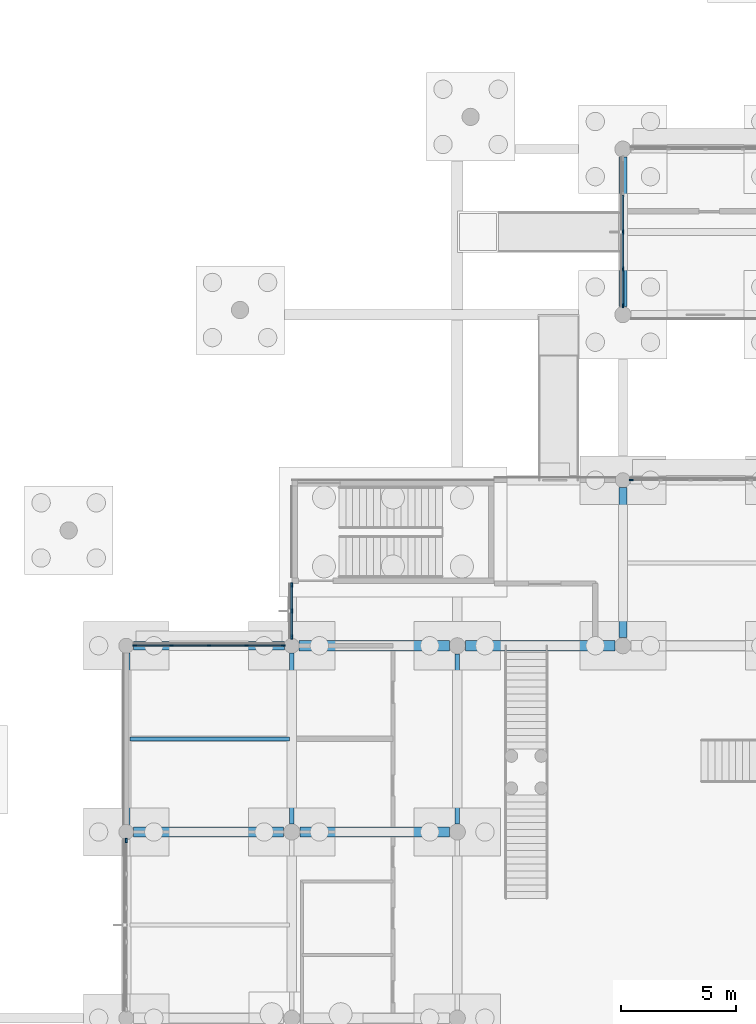
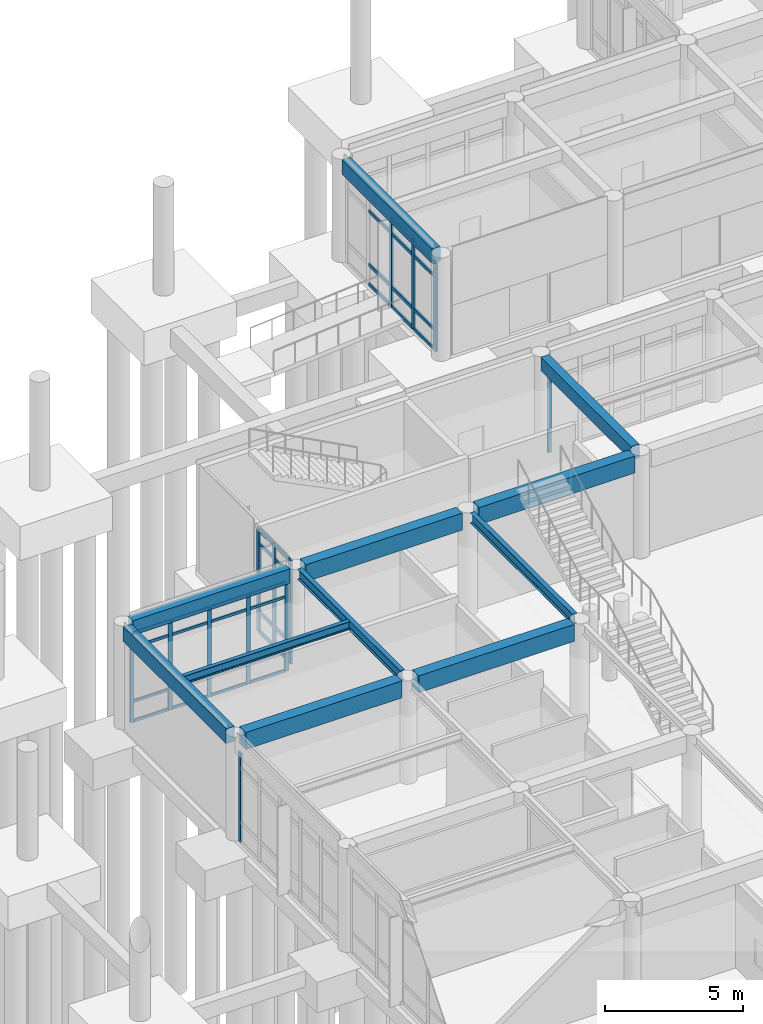
# One storey, part 24 of 103: 48 members, 11 beams, 5 elements without a shape of their own.
"""IFC4 building model written with IfcOpenShell, lengths in metres."""

from ifc_helpers import new_model, si_unit, direction, frame, origin, origin_2d, place, context, subcontext, project, spatial, rectangle, i_section, extrude, material, layer, layer_set, material_profile, profile_set, type_object, element, aggregate, save


model = new_model("IFC4")

# Units and contexts
model_context = context("Model", 3, precision=1e-05, world=origin(), true_north=direction((0.0, 1.0)))
body_context = subcontext(model_context, "Body", "Model", "MODEL_VIEW")
ifc_project = project(units=[si_unit("LENGTHUNIT", "METRE"), si_unit("AREAUNIT", "SQUARE_METRE"), si_unit("VOLUMEUNIT", "CUBIC_METRE"), si_unit("PLANEANGLEUNIT", "RADIAN"), si_unit("MASSUNIT", "GRAM", prefix="KILO")], contexts=[model_context])

# Site, building, storey
site_placement = place(None, origin())
site = spatial("IfcSite", under=ifc_project, at=site_placement, CompositionType="ELEMENT")
building_placement = place(site_placement, origin())
building = spatial("IfcBuilding", under=site, at=building_placement, Name="Namkhue Oval Health Centre", CompositionType="ELEMENT")
storey_placement = place(building_placement, origin())
storey = spatial("IfcBuildingStorey", under=building, at=storey_placement, Name="L00", CompositionType="ELEMENT", Elevation=0.0)

# Curtain wall, member
ifc_material_1 = material(Name="Anodised aluminium EN AW-6063 T6", Category="aluminium")
ifc_layer_1 = layer(ifc_material_1, 0.159912109375)
ifc_layer_set_1 = layer_set([ifc_layer_1], Name="Anodised aluminium EN AW-6063 T6")
curtain_wall_type_1 = type_object("IfcCurtainWallType", Name="UNITISED CURTAIN WALL M1200", PredefinedType="NOTDEFINED", material=ifc_layer_set_1)
curtain_wall_1_placement = place(storey_placement, origin())
curtain_wall_1 = element("IfcCurtainWall", 1, at=curtain_wall_1_placement, inside=storey, type_object=curtain_wall_type_1, Name="Volume V1 L00 Unitised Curtain Wall 13", PredefinedType="NOTDEFINED")
ifc_material_profile_1 = material_profile(ifc_material_1, rectangle(XDim=0.06494140625, YDim=0.159912109375, at=origin_2d()), Name="ALU 65x160")
ifc_profile_set_1 = profile_set([ifc_material_profile_1], Name="Anodised aluminium EN AW-6063 T6")
member_type_1 = type_object("IfcMemberType", Name="CURTAIN WALL MULLION 65X160", PredefinedType="MULLION", material=ifc_profile_set_1)
member_1_placement = place(storey_placement, frame((36.367431640625, 82.800048828125, 0.0), z_axis=(0.0, 0.0, 1.0), x_axis=(0.0, -1.0, 0.0)))
member_1 = element("IfcMember", 2, at=member_1_placement, type_object=member_type_1, Name="CW-01 mullion 6", PredefinedType="MULLION", context=body_context, shape_type="SweptSolid", body=[
    extrude(rectangle(XDim=0.06494140625, YDim=0.159912109375, at=origin_2d()), origin(), (0.0, 0.0, 1.0), 3.9150390625),
])
aggregate(curtain_wall_1, [member_1])

# Curtain wall, members
ifc_layer_2 = layer(ifc_material_1, 0.159912109375)
ifc_layer_set_2 = layer_set([ifc_layer_2], Name="Anodised aluminium EN AW-6063 T6")
curtain_wall_type_2 = type_object("IfcCurtainWallType", Name="UNITISED CURTAIN WALL M1500", PredefinedType="NOTDEFINED", material=ifc_layer_set_2)
curtain_wall_2_placement = place(storey_placement, origin())
curtain_wall_2 = element("IfcCurtainWall", 3, at=curtain_wall_2_placement, inside=storey, type_object=curtain_wall_type_2, Name="Volume V1 L00 Unitised Curtain Wall 15", PredefinedType="NOTDEFINED")
member_2_placement = place(storey_placement, frame((21.232421875, 75.60009765625, 0.0), z_axis=(0.0, 0.0, 1.0), x_axis=(0.0, -1.0, 0.0)))
member_2 = element("IfcMember", 4, at=member_2_placement, type_object=member_type_1, Name="CW-03 mullion 1", PredefinedType="MULLION", context=body_context, shape_type="SweptSolid", body=[
    extrude(rectangle(XDim=0.06494140625, YDim=0.159912109375, at=origin_2d()), origin(), (0.0, 0.0, 1.0), 3.93994140625),
])
member_3_placement = place(storey_placement, frame((19.632568359375, 75.60009765625, 0.0), z_axis=(0.0, 0.0, 1.0), x_axis=(0.0, -1.0, 0.0)))
member_3 = element("IfcMember", 5, at=member_3_placement, type_object=member_type_1, Name="CW-03 mullion 2", PredefinedType="MULLION", context=body_context, shape_type="SweptSolid", body=[
    extrude(rectangle(XDim=0.06494140625, YDim=0.159912109375, at=origin_2d()), origin(), (0.0, 0.0, 1.0), 3.93994140625),
])
member_4_placement = place(storey_placement, frame((18.0, 75.60009765625, 0.0), z_axis=(0.0, 0.0, 1.0), x_axis=(0.0, -1.0, 0.0)))
member_4 = element("IfcMember", 6, at=member_4_placement, type_object=member_type_1, Name="CW-03 mullion 3", PredefinedType="MULLION", context=body_context, shape_type="SweptSolid", body=[
    extrude(rectangle(XDim=0.06494140625, YDim=0.159912109375, at=origin_2d()), origin(), (0.0, 0.0, 1.0), 3.93994140625),
])
member_5_placement = place(storey_placement, frame((16.367431640625, 75.60009765625, 0.0), z_axis=(0.0, 0.0, 1.0), x_axis=(0.0, -1.0, 0.0)))
member_5 = element("IfcMember", 7, at=member_5_placement, type_object=member_type_1, Name="CW-03 mullion 4", PredefinedType="MULLION", context=body_context, shape_type="SweptSolid", body=[
    extrude(rectangle(XDim=0.06494140625, YDim=0.159912109375, at=origin_2d()), origin(), (0.0, 0.0, 1.0), 3.93994140625),
])
member_6_placement = place(storey_placement, frame((14.767578125, 75.60009765625, 0.0), z_axis=(0.0, 0.0, 1.0), x_axis=(0.0, -1.0, 0.0)))
member_6 = element("IfcMember", 8, at=member_6_placement, type_object=member_type_1, Name="CW-03 mullion 5", PredefinedType="MULLION", context=body_context, shape_type="SweptSolid", body=[
    extrude(rectangle(XDim=0.06494140625, YDim=0.159912109375, at=origin_2d()), origin(), (0.0, 0.0, 1.0), 3.93994140625),
])

ifc_layer_3 = layer(ifc_material_1, 0.159912109375)
ifc_layer_set_3 = layer_set([ifc_layer_3], Name="Anodised aluminium EN AW-6063 T6")
curtain_wall_type_3 = type_object("IfcCurtainWallType", Name="UNITISED CURTAIN WALL M1350", PredefinedType="NOTDEFINED", material=ifc_layer_set_3)
curtain_wall_3_placement = place(storey_placement, origin())
curtain_wall_3 = element("IfcCurtainWall", 9, at=curtain_wall_3_placement, inside=storey, type_object=curtain_wall_type_3, Name="Volume V1 L00 Unitised Curtain Wall 14", PredefinedType="NOTDEFINED")
ifc_material_profile_2 = material_profile(ifc_material_1, rectangle(XDim=0.074951171875, YDim=0.199951171875, at=origin_2d()), Name="ALU 75x200")
ifc_profile_set_2 = profile_set([ifc_material_profile_2], Name="Anodised aluminium EN AW-6063 T6")
member_type_2 = type_object("IfcMemberType", Name="CURTAIN WALL MULLION 75X200", PredefinedType="MULLION", material=ifc_profile_set_2)
member_7_placement = place(storey_placement, frame((21.60009765625, 78.24560546875, 0.0), z_axis=(0.0, 0.0, 1.0), x_axis=(1.0, 0.0, 0.0)))
member_7 = element("IfcMember", 10, at=member_7_placement, type_object=member_type_2, Name="CW-02 mullion 1", PredefinedType="MULLION", context=body_context, shape_type="SweptSolid", body=[
    extrude(rectangle(XDim=0.074951171875, YDim=0.199951171875, at=origin_2d()), origin(), (0.0, 0.0, 1.0), 4.56494140625),
])
member_8_placement = place(storey_placement, frame((21.60009765625, 77.10888671875, 0.0), z_axis=(0.0, 0.0, 1.0), x_axis=(1.0, 0.0, 0.0)))
member_8 = element("IfcMember", 11, at=member_8_placement, type_object=member_type_2, Name="CW-02 mullion 2", PredefinedType="MULLION", context=body_context, shape_type="SweptSolid", body=[
    extrude(rectangle(XDim=0.074951171875, YDim=0.199951171875, at=origin_2d()), origin(), (0.0, 0.0, 1.0), 4.56494140625),
])
member_9_placement = place(storey_placement, frame((21.60009765625, 75.972412109375, 0.0), z_axis=(0.0, 0.0, 1.0), x_axis=(1.0, 0.0, 0.0)))
member_9 = element("IfcMember", 12, at=member_9_placement, type_object=member_type_2, Name="CW-02 mullion 3", PredefinedType="MULLION", context=body_context, shape_type="SweptSolid", body=[
    extrude(rectangle(XDim=0.074951171875, YDim=0.199951171875, at=origin_2d()), origin(), (0.0, 0.0, 1.0), 4.56494140625),
])

# Curtain wall, member
ifc_layer_4 = layer(ifc_material_1, 0.159912109375)
ifc_layer_set_4 = layer_set([ifc_layer_4], Name="Anodised aluminium EN AW-6063 T6")
curtain_wall_type_4 = type_object("IfcCurtainWallType", Name="UNITISED CURTAIN WALL M1600", PredefinedType="NOTDEFINED", material=ifc_layer_set_4)
curtain_wall_4_placement = place(storey_placement, origin())
curtain_wall_4 = element("IfcCurtainWall", 13, at=curtain_wall_4_placement, inside=storey, type_object=curtain_wall_type_4, Name="Volume V1 L00 Unitised Curtain Wall 16", PredefinedType="NOTDEFINED")
member_10_placement = place(storey_placement, frame((14.39990234375, 67.12744140625, 0.0), z_axis=(0.0, 0.0, 1.0), x_axis=(1.0, 0.0, 0.0)))
member_10 = element("IfcMember", 14, at=member_10_placement, type_object=member_type_2, Name="CW-04 mullion 1", PredefinedType="MULLION", context=body_context, shape_type="SweptSolid", body=[
    extrude(rectangle(XDim=0.074951171875, YDim=0.199951171875, at=origin_2d()), origin(), (0.0, 0.0, 1.0), 3.93994140625),
])
aggregate(curtain_wall_4, [member_10])

# Curtain wall, members
curtain_wall_5_placement = place(storey_placement, origin())
curtain_wall_5 = element("IfcCurtainWall", 15, at=curtain_wall_5_placement, inside=storey, type_object=curtain_wall_type_4, Name="Volume V2 L00 Unitised Curtain Wall 46", PredefinedType="NOTDEFINED")
member_11_placement = place(storey_placement, frame((36.0, 93.60009765625, 0.0), z_axis=(0.0, 0.0, 1.0), x_axis=(1.0, 0.0, 0.0)))
member_11 = element("IfcMember", 16, at=member_11_placement, type_object=member_type_2, Name="CW-04 mullion 3", PredefinedType="MULLION", context=body_context, shape_type="SweptSolid", body=[
    extrude(rectangle(XDim=0.074951171875, YDim=0.199951171875, at=origin_2d()), origin(), (0.0, 0.0, 1.0), 3.909912109375),
])
member_12_placement = place(storey_placement, frame((36.0, 91.97998046875, 0.0), z_axis=(0.0, 0.0, 1.0), x_axis=(1.0, 0.0, 0.0)))
member_12 = element("IfcMember", 17, at=member_12_placement, type_object=member_type_2, Name="CW-04 mullion 4", PredefinedType="MULLION", context=body_context, shape_type="SweptSolid", body=[
    extrude(rectangle(XDim=0.074951171875, YDim=0.199951171875, at=origin_2d()), origin(), (0.0, 0.0, 1.0), 3.909912109375),
])
member_13_placement = place(storey_placement, frame((36.0, 90.3974609375, 0.0), z_axis=(0.0, 0.0, 1.0), x_axis=(1.0, 0.0, 0.0)))
member_13 = element("IfcMember", 18, at=member_13_placement, type_object=member_type_2, Name="CW-04 mullion 5", PredefinedType="MULLION", context=body_context, shape_type="SweptSolid", body=[
    extrude(rectangle(XDim=0.074951171875, YDim=0.199951171875, at=origin_2d()), origin(), (0.0, 0.0, 1.0), 3.909912109375),
])

# Member
ifc_material_profile_3 = material_profile(ifc_material_1, rectangle(XDim=0.06494140625, YDim=0.1201171875, at=origin_2d()), Name="ALU 65x120")
ifc_profile_set_3 = profile_set([ifc_material_profile_3], Name="Anodised aluminium EN AW-6063 T6")
member_type_3 = type_object("IfcMemberType", Name="CURTAIN WALL TRANSOM 65X120", PredefinedType="USERDEFINED", material=ifc_profile_set_3)
member_14_placement = place(storey_placement, frame((21.199951171875, 75.60009765625, 0.032470703125), z_axis=(-1.0, 0.0, 0.0), x_axis=(0.0, -1.0, 0.0)))
member_14 = element("IfcMember", 19, at=member_14_placement, type_object=member_type_3, Name="CW-03 transom 1.1", ObjectType="TRANSOM", PredefinedType="USERDEFINED", context=body_context, shape_type="SweptSolid", body=[
    extrude(rectangle(XDim=0.06494140625, YDim=0.1201171875, at=origin_2d()), origin(), (0.0, 0.0, 1.0), 1.534912109375),
])

member_15_placement = place(storey_placement, frame((21.199951171875, 75.60009765625, 0.89990234375), z_axis=(-1.0, 0.0, 0.0), x_axis=(0.0, -1.0, 0.0)))
member_15 = element("IfcMember", 20, at=member_15_placement, type_object=member_type_3, Name="CW-03 transom 1.2", ObjectType="TRANSOM", PredefinedType="USERDEFINED", context=body_context, shape_type="SweptSolid", body=[
    extrude(rectangle(XDim=0.06494140625, YDim=0.1201171875, at=origin_2d()), origin(), (0.0, 0.0, 1.0), 1.534912109375),
])

member_16_placement = place(storey_placement, frame((21.199951171875, 75.60009765625, 3.2900390625), z_axis=(-1.0, 0.0, 0.0), x_axis=(0.0, -1.0, 0.0)))
member_16 = element("IfcMember", 21, at=member_16_placement, type_object=member_type_3, Name="CW-03 transom 1.3", ObjectType="TRANSOM", PredefinedType="USERDEFINED", context=body_context, shape_type="SweptSolid", body=[
    extrude(rectangle(XDim=0.06494140625, YDim=0.1201171875, at=origin_2d()), origin(), (0.0, 0.0, 1.0), 1.534912109375),
])

member_17_placement = place(storey_placement, frame((21.199951171875, 75.60009765625, 3.907470703125), z_axis=(-1.0, 0.0, 0.0), x_axis=(0.0, -1.0, 0.0)))
member_17 = element("IfcMember", 22, at=member_17_placement, type_object=member_type_3, Name="CW-03 transom 1.4", ObjectType="TRANSOM", PredefinedType="USERDEFINED", context=body_context, shape_type="SweptSolid", body=[
    extrude(rectangle(XDim=0.06494140625, YDim=0.1201171875, at=origin_2d()), origin(), (0.0, 0.0, 1.0), 1.534912109375),
])

member_18_placement = place(storey_placement, frame((19.60009765625, 75.60009765625, 0.032470703125), z_axis=(-1.0, 0.0, 0.0), x_axis=(0.0, -1.0, 0.0)))
member_18 = element("IfcMember", 23, at=member_18_placement, type_object=member_type_3, Name="CW-03 transom 2.1", ObjectType="TRANSOM", PredefinedType="USERDEFINED", context=body_context, shape_type="SweptSolid", body=[
    extrude(rectangle(XDim=0.06494140625, YDim=0.1201171875, at=origin_2d()), origin(), (0.0, 0.0, 1.0), 1.567626953125),
])

member_19_placement = place(storey_placement, frame((19.60009765625, 75.60009765625, 0.89990234375), z_axis=(-1.0, 0.0, 0.0), x_axis=(0.0, -1.0, 0.0)))
member_19 = element("IfcMember", 24, at=member_19_placement, type_object=member_type_3, Name="CW-03 transom 2.2", ObjectType="TRANSOM", PredefinedType="USERDEFINED", context=body_context, shape_type="SweptSolid", body=[
    extrude(rectangle(XDim=0.06494140625, YDim=0.1201171875, at=origin_2d()), origin(), (0.0, 0.0, 1.0), 1.567626953125),
])

member_20_placement = place(storey_placement, frame((19.60009765625, 75.60009765625, 3.2900390625), z_axis=(-1.0, 0.0, 0.0), x_axis=(0.0, -1.0, 0.0)))
member_20 = element("IfcMember", 25, at=member_20_placement, type_object=member_type_3, Name="CW-03 transom 2.3", ObjectType="TRANSOM", PredefinedType="USERDEFINED", context=body_context, shape_type="SweptSolid", body=[
    extrude(rectangle(XDim=0.06494140625, YDim=0.1201171875, at=origin_2d()), origin(), (0.0, 0.0, 1.0), 1.567626953125),
])

member_21_placement = place(storey_placement, frame((19.60009765625, 75.60009765625, 3.907470703125), z_axis=(-1.0, 0.0, 0.0), x_axis=(0.0, -1.0, 0.0)))
member_21 = element("IfcMember", 26, at=member_21_placement, type_object=member_type_3, Name="CW-03 transom 2.4", ObjectType="TRANSOM", PredefinedType="USERDEFINED", context=body_context, shape_type="SweptSolid", body=[
    extrude(rectangle(XDim=0.06494140625, YDim=0.1201171875, at=origin_2d()), origin(), (0.0, 0.0, 1.0), 1.567626953125),
])

member_22_placement = place(storey_placement, frame((17.967529296875, 75.60009765625, 0.032470703125), z_axis=(-1.0, 0.0, 0.0), x_axis=(0.0, -1.0, 0.0)))
member_22 = element("IfcMember", 27, at=member_22_placement, type_object=member_type_3, Name="CW-03 transom 3.1", ObjectType="TRANSOM", PredefinedType="USERDEFINED", context=body_context, shape_type="SweptSolid", body=[
    extrude(rectangle(XDim=0.06494140625, YDim=0.1201171875, at=origin_2d()), origin(), (0.0, 0.0, 1.0), 1.567626953125),
])

member_23_placement = place(storey_placement, frame((17.967529296875, 75.60009765625, 0.89990234375), z_axis=(-1.0, 0.0, 0.0), x_axis=(0.0, -1.0, 0.0)))
member_23 = element("IfcMember", 28, at=member_23_placement, type_object=member_type_3, Name="CW-03 transom 3.2", ObjectType="TRANSOM", PredefinedType="USERDEFINED", context=body_context, shape_type="SweptSolid", body=[
    extrude(rectangle(XDim=0.06494140625, YDim=0.1201171875, at=origin_2d()), origin(), (0.0, 0.0, 1.0), 1.567626953125),
])

member_24_placement = place(storey_placement, frame((17.967529296875, 75.60009765625, 3.2900390625), z_axis=(-1.0, 0.0, 0.0), x_axis=(0.0, -1.0, 0.0)))
member_24 = element("IfcMember", 29, at=member_24_placement, type_object=member_type_3, Name="CW-03 transom 3.3", ObjectType="TRANSOM", PredefinedType="USERDEFINED", context=body_context, shape_type="SweptSolid", body=[
    extrude(rectangle(XDim=0.06494140625, YDim=0.1201171875, at=origin_2d()), origin(), (0.0, 0.0, 1.0), 1.567626953125),
])

member_25_placement = place(storey_placement, frame((17.967529296875, 75.60009765625, 3.907470703125), z_axis=(-1.0, 0.0, 0.0), x_axis=(0.0, -1.0, 0.0)))
member_25 = element("IfcMember", 30, at=member_25_placement, type_object=member_type_3, Name="CW-03 transom 3.4", ObjectType="TRANSOM", PredefinedType="USERDEFINED", context=body_context, shape_type="SweptSolid", body=[
    extrude(rectangle(XDim=0.06494140625, YDim=0.1201171875, at=origin_2d()), origin(), (0.0, 0.0, 1.0), 1.567626953125),
])

member_26_placement = place(storey_placement, frame((16.3349609375, 75.60009765625, 0.032470703125), z_axis=(-1.0, 0.0, 0.0), x_axis=(0.0, -1.0, 0.0)))
member_26 = element("IfcMember", 31, at=member_26_placement, type_object=member_type_3, Name="CW-03 transom 4.1", ObjectType="TRANSOM", PredefinedType="USERDEFINED", context=body_context, shape_type="SweptSolid", body=[
    extrude(rectangle(XDim=0.06494140625, YDim=0.1201171875, at=origin_2d()), origin(), (0.0, 0.0, 1.0), 1.534912109375),
])

member_27_placement = place(storey_placement, frame((16.3349609375, 75.60009765625, 0.89990234375), z_axis=(-1.0, 0.0, 0.0), x_axis=(0.0, -1.0, 0.0)))
member_27 = element("IfcMember", 32, at=member_27_placement, type_object=member_type_3, Name="CW-03 transom 4.2", ObjectType="TRANSOM", PredefinedType="USERDEFINED", context=body_context, shape_type="SweptSolid", body=[
    extrude(rectangle(XDim=0.06494140625, YDim=0.1201171875, at=origin_2d()), origin(), (0.0, 0.0, 1.0), 1.534912109375),
])

member_28_placement = place(storey_placement, frame((16.3349609375, 75.60009765625, 3.2900390625), z_axis=(-1.0, 0.0, 0.0), x_axis=(0.0, -1.0, 0.0)))
member_28 = element("IfcMember", 33, at=member_28_placement, type_object=member_type_3, Name="CW-03 transom 4.3", ObjectType="TRANSOM", PredefinedType="USERDEFINED", context=body_context, shape_type="SweptSolid", body=[
    extrude(rectangle(XDim=0.06494140625, YDim=0.1201171875, at=origin_2d()), origin(), (0.0, 0.0, 1.0), 1.534912109375),
])

member_29_placement = place(storey_placement, frame((16.3349609375, 75.60009765625, 3.907470703125), z_axis=(-1.0, 0.0, 0.0), x_axis=(0.0, -1.0, 0.0)))
member_29 = element("IfcMember", 34, at=member_29_placement, type_object=member_type_3, Name="CW-03 transom 4.4", ObjectType="TRANSOM", PredefinedType="USERDEFINED", context=body_context, shape_type="SweptSolid", body=[
    extrude(rectangle(XDim=0.06494140625, YDim=0.1201171875, at=origin_2d()), origin(), (0.0, 0.0, 1.0), 1.534912109375),
])

aggregate(curtain_wall_2, [member_2, member_3, member_4, member_5, member_6, member_14, member_15, member_16, member_17, member_18, member_19, member_20, member_21, member_22, member_23, member_24, member_25, member_26, member_27, member_28, member_29])

ifc_material_profile_4 = material_profile(ifc_material_1, rectangle(XDim=0.074951171875, YDim=0.14990234375, at=origin_2d()), Name="ALU 75x150")
ifc_profile_set_4 = profile_set([ifc_material_profile_4], Name="Anodised aluminium EN AW-6063 T6")
member_type_4 = type_object("IfcMemberType", Name="CURTAIN WALL TRANSOM 75X150", PredefinedType="USERDEFINED", material=ifc_profile_set_4)
member_30_placement = place(storey_placement, frame((21.60009765625, 78.2080078125, 0.03759765625), z_axis=(0.0, -1.0, 0.0), x_axis=(1.0, 0.0, 0.0)))
member_30 = element("IfcMember", 35, at=member_30_placement, type_object=member_type_4, Name="CW-02 transom 1.1", ObjectType="TRANSOM", PredefinedType="USERDEFINED", context=body_context, shape_type="SweptSolid", body=[
    extrude(rectangle(XDim=0.074951171875, YDim=0.14990234375, at=origin_2d()), origin(), (0.0, 0.0, 1.0), 1.0615234375),
])

member_31_placement = place(storey_placement, frame((21.60009765625, 78.2080078125, 0.89990234375), z_axis=(0.0, -1.0, 0.0), x_axis=(1.0, 0.0, 0.0)))
member_31 = element("IfcMember", 36, at=member_31_placement, type_object=member_type_4, Name="CW-02 transom 1.2", ObjectType="TRANSOM", PredefinedType="USERDEFINED", context=body_context, shape_type="SweptSolid", body=[
    extrude(rectangle(XDim=0.074951171875, YDim=0.14990234375, at=origin_2d()), origin(), (0.0, 0.0, 1.0), 1.0615234375),
])

member_32_placement = place(storey_placement, frame((21.60009765625, 78.2080078125, 3.9150390625), z_axis=(0.0, -1.0, 0.0), x_axis=(1.0, 0.0, 0.0)))
member_32 = element("IfcMember", 37, at=member_32_placement, type_object=member_type_4, Name="CW-02 transom 1.3", ObjectType="TRANSOM", PredefinedType="USERDEFINED", context=body_context, shape_type="SweptSolid", body=[
    extrude(rectangle(XDim=0.074951171875, YDim=0.14990234375, at=origin_2d()), origin(), (0.0, 0.0, 1.0), 1.0615234375),
])

member_33_placement = place(storey_placement, frame((21.60009765625, 78.2080078125, 4.527587890625), z_axis=(0.0, -1.0, 0.0), x_axis=(1.0, 0.0, 0.0)))
member_33 = element("IfcMember", 38, at=member_33_placement, type_object=member_type_4, Name="CW-02 transom 1.4", ObjectType="TRANSOM", PredefinedType="USERDEFINED", context=body_context, shape_type="SweptSolid", body=[
    extrude(rectangle(XDim=0.074951171875, YDim=0.14990234375, at=origin_2d()), origin(), (0.0, 0.0, 1.0), 1.0615234375),
])

member_34_placement = place(storey_placement, frame((21.60009765625, 77.071533203125, 0.03759765625), z_axis=(0.0, -1.0, 0.0), x_axis=(1.0, 0.0, 0.0)))
member_34 = element("IfcMember", 39, at=member_34_placement, type_object=member_type_4, Name="CW-02 transom 2.1", ObjectType="TRANSOM", PredefinedType="USERDEFINED", context=body_context, shape_type="SweptSolid", body=[
    extrude(rectangle(XDim=0.074951171875, YDim=0.14990234375, at=origin_2d()), origin(), (0.0, 0.0, 1.0), 1.0615234375),
])

member_35_placement = place(storey_placement, frame((21.60009765625, 77.071533203125, 0.89990234375), z_axis=(0.0, -1.0, 0.0), x_axis=(1.0, 0.0, 0.0)))
member_35 = element("IfcMember", 40, at=member_35_placement, type_object=member_type_4, Name="CW-02 transom 2.2", ObjectType="TRANSOM", PredefinedType="USERDEFINED", context=body_context, shape_type="SweptSolid", body=[
    extrude(rectangle(XDim=0.074951171875, YDim=0.14990234375, at=origin_2d()), origin(), (0.0, 0.0, 1.0), 1.0615234375),
])

member_36_placement = place(storey_placement, frame((21.60009765625, 77.071533203125, 3.9150390625), z_axis=(0.0, -1.0, 0.0), x_axis=(1.0, 0.0, 0.0)))
member_36 = element("IfcMember", 41, at=member_36_placement, type_object=member_type_4, Name="CW-02 transom 2.3", ObjectType="TRANSOM", PredefinedType="USERDEFINED", context=body_context, shape_type="SweptSolid", body=[
    extrude(rectangle(XDim=0.074951171875, YDim=0.14990234375, at=origin_2d()), origin(), (0.0, 0.0, 1.0), 1.0615234375),
])

member_37_placement = place(storey_placement, frame((21.60009765625, 77.071533203125, 4.527587890625), z_axis=(0.0, -1.0, 0.0), x_axis=(1.0, 0.0, 0.0)))
member_37 = element("IfcMember", 42, at=member_37_placement, type_object=member_type_4, Name="CW-02 transom 2.4", ObjectType="TRANSOM", PredefinedType="USERDEFINED", context=body_context, shape_type="SweptSolid", body=[
    extrude(rectangle(XDim=0.074951171875, YDim=0.14990234375, at=origin_2d()), origin(), (0.0, 0.0, 1.0), 1.0615234375),
])

aggregate(curtain_wall_3, [member_7, member_8, member_9, member_30, member_31, member_32, member_33, member_34, member_35, member_36, member_37])

member_38_placement = place(storey_placement, frame((36.0, 95.1826171875, 0.03759765625), z_axis=(0.0, -1.0, 0.0), x_axis=(1.0, 0.0, 0.0)))
member_38 = element("IfcMember", 43, at=member_38_placement, type_object=member_type_4, Name="CW-04 transom 2.1", ObjectType="TRANSOM", PredefinedType="USERDEFINED", context=body_context, shape_type="SweptSolid", body=[
    extrude(rectangle(XDim=0.074951171875, YDim=0.14990234375, at=origin_2d()), origin(), (0.0, 0.0, 1.0), 1.545166015625),
])

member_39_placement = place(storey_placement, frame((36.0, 95.1826171875, 0.89990234375), z_axis=(0.0, -1.0, 0.0), x_axis=(1.0, 0.0, 0.0)))
member_39 = element("IfcMember", 44, at=member_39_placement, type_object=member_type_4, Name="CW-04 transom 2.2", ObjectType="TRANSOM", PredefinedType="USERDEFINED", context=body_context, shape_type="SweptSolid", body=[
    extrude(rectangle(XDim=0.074951171875, YDim=0.14990234375, at=origin_2d()), origin(), (0.0, 0.0, 1.0), 1.545166015625),
])

member_40_placement = place(storey_placement, frame((36.0, 95.1826171875, 3.260009765625), z_axis=(0.0, -1.0, 0.0), x_axis=(1.0, 0.0, 0.0)))
member_40 = element("IfcMember", 45, at=member_40_placement, type_object=member_type_4, Name="CW-04 transom 2.3", ObjectType="TRANSOM", PredefinedType="USERDEFINED", context=body_context, shape_type="SweptSolid", body=[
    extrude(rectangle(XDim=0.074951171875, YDim=0.14990234375, at=origin_2d()), origin(), (0.0, 0.0, 1.0), 1.545166015625),
])

member_41_placement = place(storey_placement, frame((36.0, 93.5625, 0.03759765625), z_axis=(0.0, -1.0, 0.0), x_axis=(1.0, 0.0, 0.0)))
member_41 = element("IfcMember", 46, at=member_41_placement, type_object=member_type_4, Name="CW-04 transom 3.1", ObjectType="TRANSOM", PredefinedType="USERDEFINED", context=body_context, shape_type="SweptSolid", body=[
    extrude(rectangle(XDim=0.074951171875, YDim=0.14990234375, at=origin_2d()), origin(), (0.0, 0.0, 1.0), 1.544921875),
])

member_42_placement = place(storey_placement, frame((36.0, 93.5625, 0.89990234375), z_axis=(0.0, -1.0, 0.0), x_axis=(1.0, 0.0, 0.0)))
member_42 = element("IfcMember", 47, at=member_42_placement, type_object=member_type_4, Name="CW-04 transom 3.2", ObjectType="TRANSOM", PredefinedType="USERDEFINED", context=body_context, shape_type="SweptSolid", body=[
    extrude(rectangle(XDim=0.074951171875, YDim=0.14990234375, at=origin_2d()), origin(), (0.0, 0.0, 1.0), 1.544921875),
])

member_43_placement = place(storey_placement, frame((36.0, 93.5625, 3.260009765625), z_axis=(0.0, -1.0, 0.0), x_axis=(1.0, 0.0, 0.0)))
member_43 = element("IfcMember", 48, at=member_43_placement, type_object=member_type_4, Name="CW-04 transom 3.3", ObjectType="TRANSOM", PredefinedType="USERDEFINED", context=body_context, shape_type="SweptSolid", body=[
    extrude(rectangle(XDim=0.074951171875, YDim=0.14990234375, at=origin_2d()), origin(), (0.0, 0.0, 1.0), 1.544921875),
])

member_44_placement = place(storey_placement, frame((36.0, 93.5625, 3.87255859375), z_axis=(0.0, -1.0, 0.0), x_axis=(1.0, 0.0, 0.0)))
member_44 = element("IfcMember", 49, at=member_44_placement, type_object=member_type_4, Name="CW-04 transom 3.4", ObjectType="TRANSOM", PredefinedType="USERDEFINED", context=body_context, shape_type="SweptSolid", body=[
    extrude(rectangle(XDim=0.074951171875, YDim=0.14990234375, at=origin_2d()), origin(), (0.0, 0.0, 1.0), 1.544921875),
])

member_45_placement = place(storey_placement, frame((36.0, 91.9423828125, 0.03759765625), z_axis=(0.0, -1.0, 0.0), x_axis=(1.0, 0.0, 0.0)))
member_45 = element("IfcMember", 50, at=member_45_placement, type_object=member_type_4, Name="CW-04 transom 4.1", ObjectType="TRANSOM", PredefinedType="USERDEFINED", context=body_context, shape_type="SweptSolid", body=[
    extrude(rectangle(XDim=0.074951171875, YDim=0.14990234375, at=origin_2d()), origin(), (0.0, 0.0, 1.0), 1.50732421875),
])

member_46_placement = place(storey_placement, frame((36.0, 91.9423828125, 0.89990234375), z_axis=(0.0, -1.0, 0.0), x_axis=(1.0, 0.0, 0.0)))
member_46 = element("IfcMember", 51, at=member_46_placement, type_object=member_type_4, Name="CW-04 transom 4.2", ObjectType="TRANSOM", PredefinedType="USERDEFINED", context=body_context, shape_type="SweptSolid", body=[
    extrude(rectangle(XDim=0.074951171875, YDim=0.14990234375, at=origin_2d()), origin(), (0.0, 0.0, 1.0), 1.50732421875),
])

member_47_placement = place(storey_placement, frame((36.0, 91.9423828125, 3.260009765625), z_axis=(0.0, -1.0, 0.0), x_axis=(1.0, 0.0, 0.0)))
member_47 = element("IfcMember", 52, at=member_47_placement, type_object=member_type_4, Name="CW-04 transom 4.3", ObjectType="TRANSOM", PredefinedType="USERDEFINED", context=body_context, shape_type="SweptSolid", body=[
    extrude(rectangle(XDim=0.074951171875, YDim=0.14990234375, at=origin_2d()), origin(), (0.0, 0.0, 1.0), 1.50732421875),
])

member_48_placement = place(storey_placement, frame((36.0, 91.9423828125, 3.87255859375), z_axis=(0.0, -1.0, 0.0), x_axis=(1.0, 0.0, 0.0)))
member_48 = element("IfcMember", 53, at=member_48_placement, type_object=member_type_4, Name="CW-04 transom 4.4", ObjectType="TRANSOM", PredefinedType="USERDEFINED", context=body_context, shape_type="SweptSolid", body=[
    extrude(rectangle(XDim=0.074951171875, YDim=0.14990234375, at=origin_2d()), origin(), (0.0, 0.0, 1.0), 1.50732421875),
])

aggregate(curtain_wall_5, [member_11, member_12, member_13, member_38, member_39, member_40, member_41, member_42, member_43, member_44, member_45, member_46, member_47, member_48])

# Beams
ifc_material_2 = material(Name="Reinforced concrete C30/37 (TCVN B35)", Category="concrete")
ifc_material_profile_5 = material_profile(ifc_material_2, rectangle(XDim=0.35009765625, YDim=0.60009765625, at=origin_2d()), Name="RC 350x600")
ifc_profile_set_5 = profile_set([ifc_material_profile_5], Name="Reinforced concrete C30/37 (TCVN B35)")
beam_type_1 = type_object("IfcBeamType", Name="FLOOR BEAM RC 350X600", PredefinedType="BEAM", material=ifc_profile_set_5)
beam_1_placement = place(storey_placement, frame((36.0, 75.949951171875, 4.264892578125), z_axis=(0.0, 1.0, 0.0), x_axis=(-1.0, 0.0, 0.0)))
element("IfcBeam", 54, at=beam_1_placement, inside=storey, type_object=beam_type_1, Name="Volume V1 L01 Beam 6/L-M", PredefinedType="BEAM", context=body_context, shape_type="SweptSolid", body=[
    extrude(rectangle(XDim=0.35009765625, YDim=0.60009765625, at=origin_2d()), origin(), (0.0, 0.0, 1.0), 6.525146484375),
])
ifc_material_3 = material(Name="Structural steel EN 10025-2 S355JR (TCVN 5575:2024)", Category="steel")
ifc_material_profile_6 = material_profile(ifc_material_3, i_section(OverallWidth=0.18994140625, OverallDepth=0.449951171875, WebThickness=0.009521484375, FlangeThickness=0.0146484375, FilletRadius=0.02099609375, at=origin_2d()), Name="IPE 450")
ifc_profile_set_6 = profile_set([ifc_material_profile_6], Name="Structural steel EN 10025-2 S355JR (TCVN 5575:2024)")
beam_type_2 = type_object("IfcBeamType", Name="FLOOR BEAM STEEL IPE 450", PredefinedType="BEAM", material=ifc_profile_set_6)
beam_2_placement = place(storey_placement, frame((21.60009765625, 67.85009765625, 4.364990234375), z_axis=(0.0, 1.0, 0.0), x_axis=(-1.0, 0.0, 0.0)))
element("IfcBeam", 55, at=beam_2_placement, inside=storey, type_object=beam_type_2, Name="Volume V1 L01 Beam 4/K-L", PredefinedType="BEAM", context=body_context, shape_type="SweptSolid", body=[
    extrude(i_section(OverallWidth=0.18994140625, OverallDepth=0.449951171875, WebThickness=0.009521484375, FlangeThickness=0.0146484375, FilletRadius=0.02099609375, at=origin_2d()), origin(), (0.0, 0.0, 1.0), 7.4248046875),
])
beam_3_placement = place(storey_placement, frame((28.800048828125, 67.85009765625, 4.340087890625), z_axis=(0.0, 1.0, 0.0), x_axis=(-1.0, 0.0, 0.0)))
element("IfcBeam", 56, at=beam_3_placement, inside=storey, type_object=beam_type_2, Name="Volume V1 L01 Beam 5/K-L", PredefinedType="BEAM", context=body_context, shape_type="SweptSolid", body=[
    extrude(i_section(OverallWidth=0.18994140625, OverallDepth=0.449951171875, WebThickness=0.009521484375, FlangeThickness=0.0146484375, FilletRadius=0.02099609375, at=origin_2d()), origin(), (0.0, 0.0, 1.0), 7.39990234375),
])
ifc_material_4 = material(Name="Reinforced concrete C35/45 (TCVN B40)", Category="concrete")
ifc_material_profile_7 = material_profile(ifc_material_4, rectangle(XDim=0.35009765625, YDim=0.64990234375, at=origin_2d()), Name="RC 350x650")
ifc_profile_set_7 = profile_set([ifc_material_profile_7], Name="Reinforced concrete C35/45 (TCVN B40)")
beam_type_3 = type_object("IfcBeamType", Name="PERIMETER SPANDREL BEAM 350X650", PredefinedType="SPANDREL", material=ifc_profile_set_7)
beam_4_placement = place(storey_placement, frame((14.72509765625, 75.60009765625, 4.264892578125), z_axis=(1.0, 0.0, 0.0), x_axis=(0.0, 1.0, 0.0)))
element("IfcBeam", 57, at=beam_4_placement, inside=storey, type_object=beam_type_3, Name="Volume V1 L01 Girder L/3-4", PredefinedType="SPANDREL", context=body_context, shape_type="SweptSolid", body=[
    extrude(rectangle(XDim=0.35009765625, YDim=0.64990234375, at=origin_2d()), origin(), (0.0, 0.0, 1.0), 6.5498046875),
])
beam_5_placement = place(storey_placement, frame((14.39990234375, 67.824951171875, 4.264892578125), z_axis=(0.0, 1.0, 0.0), x_axis=(-1.0, 0.0, 0.0)))
element("IfcBeam", 58, at=beam_5_placement, inside=storey, type_object=beam_type_3, Name="Volume V1 L01 Beam 3/K-L", PredefinedType="SPANDREL", context=body_context, shape_type="SweptSolid", body=[
    extrude(rectangle(XDim=0.35009765625, YDim=0.64990234375, at=origin_2d()), origin(), (0.0, 0.0, 1.0), 7.449951171875),
])
beam_6_placement = place(storey_placement, frame((36.0, 90.35009765625, 4.235107421875), z_axis=(0.0, 1.0, 0.0), x_axis=(-1.0, 0.0, 0.0)))
element("IfcBeam", 59, at=beam_6_placement, inside=storey, type_object=beam_type_3, Name="Volume V2 L01 Beam 6/N-O", PredefinedType="SPANDREL", context=body_context, shape_type="SweptSolid", body=[
    extrude(rectangle(XDim=0.35009765625, YDim=0.64990234375, at=origin_2d()), origin(), (0.0, 0.0, 1.0), 6.5),
])
ifc_material_profile_8 = material_profile(ifc_material_4, rectangle(XDim=0.449951171875, YDim=0.75, at=origin_2d()), Name="RC 450x750")
ifc_profile_set_8 = profile_set([ifc_material_profile_8], Name="Reinforced concrete C35/45 (TCVN B40)")
beam_type_4 = type_object("IfcBeamType", Name="PRIMARY GIRDER RC 450X750", PredefinedType="USERDEFINED", material=ifc_profile_set_8)
beam_7_placement = place(storey_placement, frame((14.72509765625, 67.5, 4.215087890625), z_axis=(1.0, 0.0, 0.0), x_axis=(0.0, 1.0, 0.0)))
element("IfcBeam", 60, at=beam_7_placement, inside=storey, type_object=beam_type_4, Name="Volume V1 L01 Girder K/3-4", ObjectType="GIRDER", PredefinedType="USERDEFINED", context=body_context, shape_type="SweptSolid", body=[
    extrude(rectangle(XDim=0.449951171875, YDim=0.75, at=origin_2d()), origin(), (0.0, 0.0, 1.0), 6.52490234375),
])
beam_8_placement = place(storey_placement, frame((21.949951171875, 67.5, 4.18994140625), z_axis=(1.0, 0.0, 0.0), x_axis=(0.0, 1.0, 0.0)))
element("IfcBeam", 61, at=beam_8_placement, inside=storey, type_object=beam_type_4, Name="Volume V1 L01 Girder K/4-5", ObjectType="GIRDER", PredefinedType="USERDEFINED", context=body_context, shape_type="SweptSolid", body=[
    extrude(rectangle(XDim=0.449951171875, YDim=0.75, at=origin_2d()), origin(), (0.0, 0.0, 1.0), 6.5),
])
beam_9_placement = place(storey_placement, frame((21.925048828125, 75.60009765625, 4.18994140625), z_axis=(1.0, 0.0, 0.0), x_axis=(0.0, 1.0, 0.0)))
element("IfcBeam", 62, at=beam_9_placement, inside=storey, type_object=beam_type_4, Name="Volume V1 L01 Girder L/4-5", ObjectType="GIRDER", PredefinedType="USERDEFINED", context=body_context, shape_type="SweptSolid", body=[
    extrude(rectangle(XDim=0.449951171875, YDim=0.75, at=origin_2d()), origin(), (0.0, 0.0, 1.0), 6.52490234375),
])
beam_10_placement = place(storey_placement, frame((29.14990234375, 75.60009765625, 4.18994140625), z_axis=(1.0, 0.0, 0.0), x_axis=(0.0, 1.0, 0.0)))
element("IfcBeam", 63, at=beam_10_placement, inside=storey, type_object=beam_type_4, Name="Volume V1 L01 Girder L/5-6", ObjectType="GIRDER", PredefinedType="USERDEFINED", context=body_context, shape_type="SweptSolid", body=[
    extrude(rectangle(XDim=0.449951171875, YDim=0.75, at=origin_2d()), origin(), (0.0, 0.0, 1.0), 6.5),
])
ifc_material_profile_9 = material_profile(ifc_material_3, i_section(OverallWidth=0.169921875, OverallDepth=0.360107421875, WebThickness=0.008056640625, FlangeThickness=0.0126953125, FilletRadius=0.01806640625, at=origin_2d()), Name="IPE 360")
ifc_profile_set_9 = profile_set([ifc_material_profile_9], Name="Structural steel EN 10025-2 S355JR (TCVN 5575:2024)")
beam_type_5 = type_object("IfcBeamType", Name="SECONDARY JOIST STEEL IPE 360", PredefinedType="JOIST", material=ifc_profile_set_9)
beam_11_placement = place(storey_placement, frame((14.574951171875, 71.550048828125, 4.409912109375), z_axis=(1.0, 0.0, 0.0), x_axis=(0.0, 1.0, 0.0)))
element("IfcBeam", 64, at=beam_11_placement, inside=storey, type_object=beam_type_5, Name="Volume V1 L01 Secondary Joist 3-4", PredefinedType="JOIST", context=body_context, shape_type="SweptSolid", body=[
    extrude(i_section(OverallWidth=0.169921875, OverallDepth=0.360107421875, WebThickness=0.008056640625, FlangeThickness=0.0126953125, FilletRadius=0.01806640625, at=origin_2d()), origin(), (0.0, 0.0, 1.0), 6.929931640625),
])

save(model, "model.ifc")
